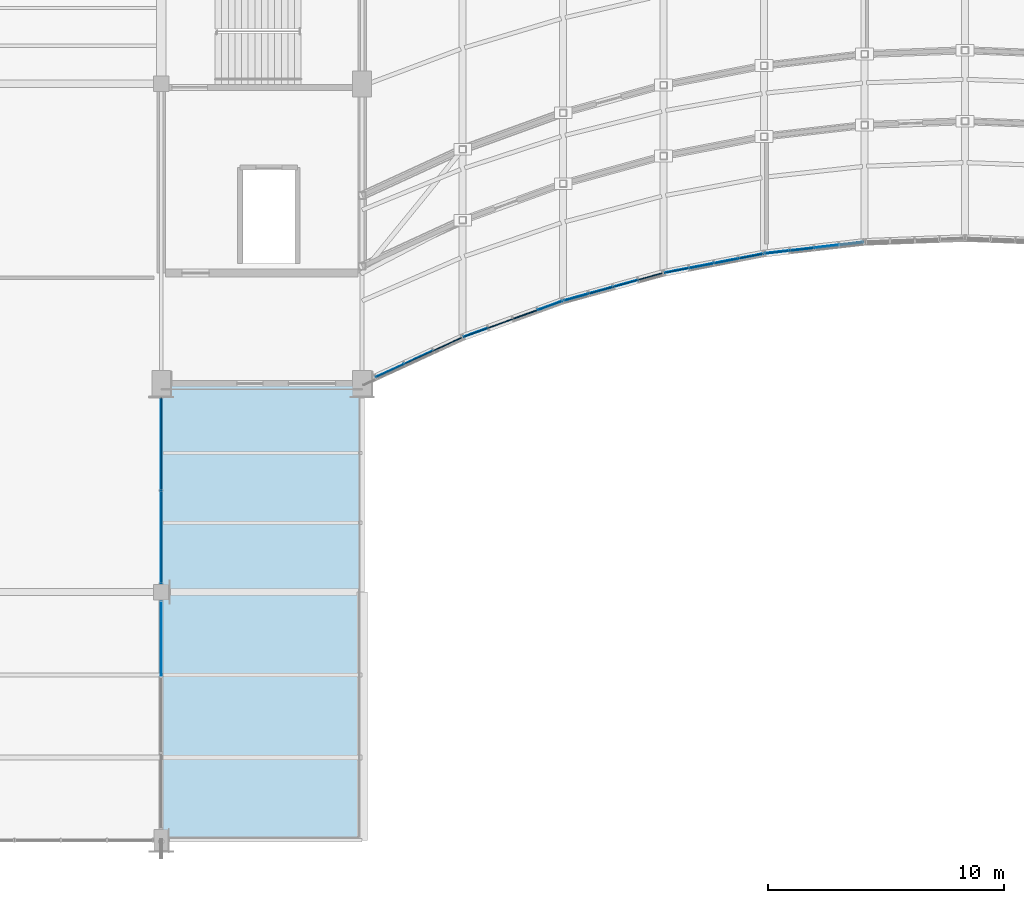
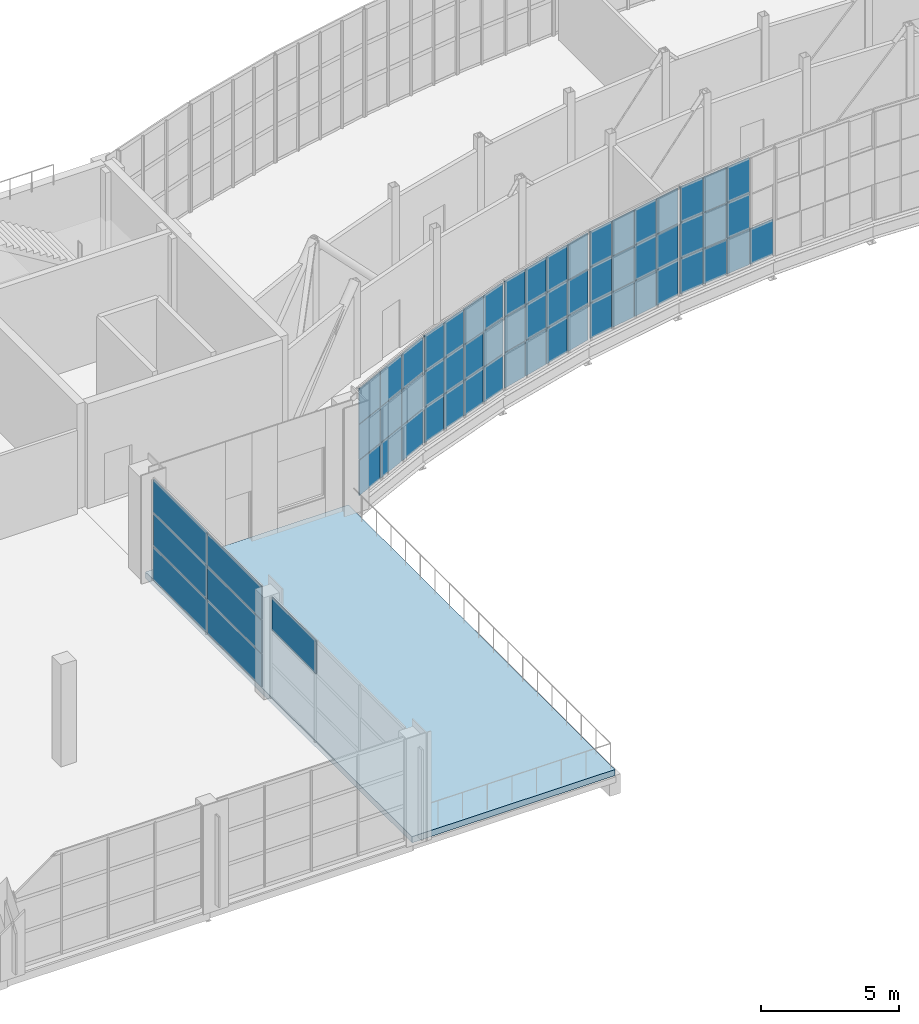
# One storey, part 57 of 86: 62 plates, 1 slab, 7 elements without a shape of their own.
"""IFC4 building model written with IfcOpenShell, lengths in metres."""

from ifc_helpers import new_model, si_unit, direction, frame, origin, origin_2d, place, context, subcontext, project, spatial, polyline, rectangle, outline, extrude, material, layer, layer_set, type_object, element, aggregate, save


model = new_model("IFC4")

# Units and contexts
model_context = context("Model", 3, precision=1e-05, world=origin(), true_north=direction((0.0, 1.0)))
body_context = subcontext(model_context, "Body", "Model", "MODEL_VIEW")
ifc_project = project(units=[si_unit("LENGTHUNIT", "METRE"), si_unit("AREAUNIT", "SQUARE_METRE"), si_unit("VOLUMEUNIT", "CUBIC_METRE"), si_unit("PLANEANGLEUNIT", "RADIAN"), si_unit("MASSUNIT", "GRAM", prefix="KILO")], contexts=[model_context])

# Site, building, storey
site_placement = place(None, origin())
site = spatial("IfcSite", under=ifc_project, at=site_placement, CompositionType="ELEMENT")
building_placement = place(site_placement, origin())
building = spatial("IfcBuilding", under=site, at=building_placement, Name="Solvikara Media Centre", CompositionType="ELEMENT")
storey_placement = place(building_placement, frame((0.0, 0.0, 15.0)))
storey = spatial("IfcBuildingStorey", under=building, at=storey_placement, Name="L03", CompositionType="ELEMENT", Elevation=15.0)

# Curtain wall, plates
ifc_material_1 = material(Name="Anodised aluminium EN AW-6063", Category="aluminium")
curtain_wall_type_1 = type_object("IfcCurtainWallType", Name="CW-01", PredefinedType="NOTDEFINED", material=ifc_material_1)
curtain_wall_1_placement = place(storey_placement, origin())
curtain_wall_1 = element("IfcCurtainWall", 1, at=curtain_wall_1_placement, inside=storey, type_object=curtain_wall_type_1, Name="CW-L03-SARC-00", PredefinedType="NOTDEFINED")
ifc_material_2 = material(Name="Laminated solar-control cyan vision glass", Category="glass")
ifc_layer_1 = layer(ifc_material_2, 0.035888671875)
ifc_layer_set_1 = layer_set([ifc_layer_1], Name="Laminated solar-control cyan vision glass")
plate_type_1 = type_object("IfcPlateType", Name="PN-01", PredefinedType="CURTAIN_PANEL", material=ifc_layer_set_1)
plate_1_placement = place(storey_placement, frame((77.681884765625, 19.867919921875, 1.62158203125), z_axis=(0.0, 0.0, 1.0), x_axis=(0.908566513921, 0.417740218056, 0.0)))
plate_1 = element("IfcPlate", 2, at=plate_1_placement, type_object=plate_type_1, Name="CW-L03-SARC-00-P0001", PredefinedType="CURTAIN_PANEL", context=body_context, shape_type="SweptSolid", body=[
    extrude(rectangle(XDim=1.306884765625, YDim=0.035888671875, at=origin_2d()), origin(), (0.0, 0.0, 1.0), 1.556884765625),
])
plate_2_placement = place(storey_placement, frame((77.681884765625, 19.867919921875, 3.20849609375), z_axis=(0.0, 0.0, 1.0), x_axis=(0.908566513921, 0.417740218056, 0.0)))
plate_2 = element("IfcPlate", 3, at=plate_2_placement, type_object=plate_type_1, Name="CW-L03-SARC-00-P0002", PredefinedType="CURTAIN_PANEL", context=body_context, shape_type="SweptSolid", body=[
    extrude(rectangle(XDim=1.306884765625, YDim=0.035888671875, at=origin_2d()), origin(), (0.0, 0.0, 1.0), 1.556884765625),
])
plate_3_placement = place(storey_placement, frame((78.89697265625, 20.427001953125, 0.03466796875), z_axis=(0.0, 0.0, 1.0), x_axis=(0.908566513921, 0.417740218056, 0.0)))
plate_3 = element("IfcPlate", 4, at=plate_3_placement, type_object=plate_type_1, Name="CW-L03-SARC-00-P0100", PredefinedType="CURTAIN_PANEL", context=body_context, shape_type="SweptSolid", body=[
    extrude(rectangle(XDim=1.306884765625, YDim=0.035888671875, at=origin_2d()), origin(), (0.0, 0.0, 1.0), 1.556884765625),
])

curtain_wall_2_placement = place(storey_placement, origin())
curtain_wall_2 = element("IfcCurtainWall", 5, at=curtain_wall_2_placement, inside=storey, type_object=curtain_wall_type_1, Name="CW-L03-SARC-01", PredefinedType="NOTDEFINED")
plate_4_placement = place(storey_placement, frame((81.305908203125, 21.48095703125, 0.03466796875), z_axis=(0.0, 0.0, 1.0), x_axis=(0.939823877818, 0.341659302058, 0.0)))
plate_4 = element("IfcPlate", 6, at=plate_4_placement, type_object=plate_type_1, Name="CW-L03-SARC-01-P0000", PredefinedType="CURTAIN_PANEL", context=body_context, shape_type="SweptSolid", body=[
    extrude(rectangle(XDim=1.0830078125, YDim=0.035888671875, at=origin_2d()), origin(), (0.0, 0.0, 1.0), 1.556884765625),
])
plate_5_placement = place(storey_placement, frame((84.444091796875, 22.6220703125, 0.03466796875), z_axis=(0.0, 0.0, 1.0), x_axis=(0.939823877818, 0.341659302058, 0.0)))
plate_5 = element("IfcPlate", 7, at=plate_5_placement, type_object=plate_type_1, Name="CW-L03-SARC-01-P0300", PredefinedType="CURTAIN_PANEL", context=body_context, shape_type="SweptSolid", body=[
    extrude(rectangle(XDim=1.0830078125, YDim=0.035888671875, at=origin_2d()), origin(), (0.0, 0.0, 1.0), 1.556884765625),
])
plate_6_placement = place(storey_placement, frame((84.444091796875, 22.6220703125, 3.20849609375), z_axis=(0.0, 0.0, 1.0), x_axis=(0.939823877818, 0.341659302058, 0.0)))
plate_6 = element("IfcPlate", 8, at=plate_6_placement, type_object=plate_type_1, Name="CW-L03-SARC-01-P0302", PredefinedType="CURTAIN_PANEL", context=body_context, shape_type="SweptSolid", body=[
    extrude(rectangle(XDim=1.0830078125, YDim=0.035888671875, at=origin_2d()), origin(), (0.0, 0.0, 1.0), 1.556884765625),
])

curtain_wall_3_placement = place(storey_placement, origin())
curtain_wall_3 = element("IfcCurtainWall", 9, at=curtain_wall_3_placement, inside=storey, type_object=curtain_wall_type_1, Name="CW-L03-SARC-02", PredefinedType="NOTDEFINED")
plate_7_placement = place(storey_placement, frame((85.555908203125, 22.97705078125, 0.03466796875), z_axis=(0.0, 0.0, 1.0), x_axis=(0.96397015682, 0.26601040724, 0.0)))
plate_7 = element("IfcPlate", 10, at=plate_7_placement, type_object=plate_type_1, Name="CW-L03-SARC-02-P0000", PredefinedType="CURTAIN_PANEL", context=body_context, shape_type="SweptSolid", body=[
    extrude(rectangle(XDim=1.054931640625, YDim=0.035888671875, at=origin_2d()), origin(), (0.0, 0.0, 1.0), 1.556884765625),
])
plate_8_placement = place(storey_placement, frame((85.555908203125, 22.97705078125, 1.62158203125), z_axis=(0.0, 0.0, 1.0), x_axis=(0.96397015682, 0.26601040724, 0.0)))
plate_8 = element("IfcPlate", 11, at=plate_8_placement, type_object=plate_type_1, Name="CW-L03-SARC-02-P0001", PredefinedType="CURTAIN_PANEL", context=body_context, shape_type="SweptSolid", body=[
    extrude(rectangle(XDim=1.054931640625, YDim=0.035888671875, at=origin_2d()), origin(), (0.0, 0.0, 1.0), 1.556884765625),
])
plate_9_placement = place(storey_placement, frame((86.60205078125, 23.26611328125, 1.62158203125), z_axis=(0.0, 0.0, 1.0), x_axis=(0.96397015682, 0.26601040724, 0.0)))
plate_9 = element("IfcPlate", 12, at=plate_9_placement, type_object=plate_type_1, Name="CW-L03-SARC-02-P0101", PredefinedType="CURTAIN_PANEL", context=body_context, shape_type="SweptSolid", body=[
    extrude(rectangle(XDim=1.054931640625, YDim=0.035888671875, at=origin_2d()), origin(), (0.0, 0.0, 1.0), 1.556884765625),
])
plate_10_placement = place(storey_placement, frame((87.64697265625, 23.553955078125, 1.62158203125), z_axis=(0.0, 0.0, 1.0), x_axis=(0.96397015682, 0.26601040724, 0.0)))
plate_10 = element("IfcPlate", 13, at=plate_10_placement, type_object=plate_type_1, Name="CW-L03-SARC-02-P0201", PredefinedType="CURTAIN_PANEL", context=body_context, shape_type="SweptSolid", body=[
    extrude(rectangle(XDim=1.054931640625, YDim=0.035888671875, at=origin_2d()), origin(), (0.0, 0.0, 1.0), 1.556884765625),
])

curtain_wall_4_placement = place(storey_placement, origin())
curtain_wall_4 = element("IfcCurtainWall", 14, at=curtain_wall_4_placement, inside=storey, type_object=curtain_wall_type_1, Name="CW-L03-SARC-03", PredefinedType="NOTDEFINED")
plate_11_placement = place(storey_placement, frame((89.805908203125, 24.10400390625, 3.20849609375), z_axis=(0.0, 0.0, 1.0), x_axis=(0.981843017659, 0.189695252114, 0.0)))
plate_11 = element("IfcPlate", 15, at=plate_11_placement, type_object=plate_type_1, Name="CW-L03-SARC-03-P0002", PredefinedType="CURTAIN_PANEL", context=body_context, shape_type="SweptSolid", body=[
    extrude(rectangle(XDim=1.034912109375, YDim=0.035888671875, at=origin_2d()), origin(), (0.0, 0.0, 1.0), 1.556884765625),
])
plate_12_placement = place(storey_placement, frame((90.85205078125, 24.305908203125, 0.03466796875), z_axis=(0.0, 0.0, 1.0), x_axis=(0.981843017659, 0.189695252114, 0.0)))
plate_12 = element("IfcPlate", 16, at=plate_12_placement, type_object=plate_type_1, Name="CW-L03-SARC-03-P0100", PredefinedType="CURTAIN_PANEL", context=body_context, shape_type="SweptSolid", body=[
    extrude(rectangle(XDim=1.034912109375, YDim=0.035888671875, at=origin_2d()), origin(), (0.0, 0.0, 1.0), 1.556884765625),
])
plate_13_placement = place(storey_placement, frame((90.85205078125, 24.305908203125, 1.62158203125), z_axis=(0.0, 0.0, 1.0), x_axis=(0.981843017659, 0.189695252114, 0.0)))
plate_13 = element("IfcPlate", 17, at=plate_13_placement, type_object=plate_type_1, Name="CW-L03-SARC-03-P0101", PredefinedType="CURTAIN_PANEL", context=body_context, shape_type="SweptSolid", body=[
    extrude(rectangle(XDim=1.034912109375, YDim=0.035888671875, at=origin_2d()), origin(), (0.0, 0.0, 1.0), 1.556884765625),
])
plate_14_placement = place(storey_placement, frame((91.89794921875, 24.508056640625, 0.03466796875), z_axis=(0.0, 0.0, 1.0), x_axis=(0.981843017659, 0.189695252114, 0.0)))
plate_14 = element("IfcPlate", 18, at=plate_14_placement, type_object=plate_type_1, Name="CW-L03-SARC-03-P0200", PredefinedType="CURTAIN_PANEL", context=body_context, shape_type="SweptSolid", body=[
    extrude(rectangle(XDim=1.034912109375, YDim=0.035888671875, at=origin_2d()), origin(), (0.0, 0.0, 1.0), 1.556884765625),
])
plate_15_placement = place(storey_placement, frame((91.89794921875, 24.508056640625, 3.20849609375), z_axis=(0.0, 0.0, 1.0), x_axis=(0.981843017659, 0.189695252114, 0.0)))
plate_15 = element("IfcPlate", 19, at=plate_15_placement, type_object=plate_type_1, Name="CW-L03-SARC-03-P0202", PredefinedType="CURTAIN_PANEL", context=body_context, shape_type="SweptSolid", body=[
    extrude(rectangle(XDim=1.034912109375, YDim=0.035888671875, at=origin_2d()), origin(), (0.0, 0.0, 1.0), 1.556884765625),
])
plate_16_placement = place(storey_placement, frame((92.943115234375, 24.7099609375, 0.03466796875), z_axis=(0.0, 0.0, 1.0), x_axis=(0.981843017659, 0.189695252114, 0.0)))
plate_16 = element("IfcPlate", 20, at=plate_16_placement, type_object=plate_type_1, Name="CW-L03-SARC-03-P0300", PredefinedType="CURTAIN_PANEL", context=body_context, shape_type="SweptSolid", body=[
    extrude(rectangle(XDim=1.034912109375, YDim=0.035888671875, at=origin_2d()), origin(), (0.0, 0.0, 1.0), 1.556884765625),
])

curtain_wall_5_placement = place(storey_placement, origin())
curtain_wall_5 = element("IfcCurtainWall", 21, at=curtain_wall_5_placement, inside=storey, type_object=curtain_wall_type_1, Name="CW-L03-SARC-04", PredefinedType="NOTDEFINED")
plate_17_placement = place(storey_placement, frame((94.05810546875, 24.882080078125, 1.62158203125), z_axis=(0.0, 0.0, 1.0), x_axis=(0.993498545066, 0.113844810828, 0.0)))
plate_17 = element("IfcPlate", 22, at=plate_17_placement, type_object=plate_type_1, Name="CW-L03-SARC-04-P0001", PredefinedType="CURTAIN_PANEL", context=body_context, shape_type="SweptSolid", body=[
    extrude(rectangle(XDim=1.02197265625, YDim=0.035888671875, at=origin_2d()), origin(), (0.0, 0.0, 1.0), 1.556884765625),
])
plate_18_placement = place(storey_placement, frame((95.10302734375, 25.001953125, 1.62158203125), z_axis=(0.0, 0.0, 1.0), x_axis=(0.993498545066, 0.113844810828, 0.0)))
plate_18 = element("IfcPlate", 23, at=plate_18_placement, type_object=plate_type_1, Name="CW-L03-SARC-04-P0101", PredefinedType="CURTAIN_PANEL", context=body_context, shape_type="SweptSolid", body=[
    extrude(rectangle(XDim=1.02197265625, YDim=0.035888671875, at=origin_2d()), origin(), (0.0, 0.0, 1.0), 1.556884765625),
])
plate_19_placement = place(storey_placement, frame((95.10302734375, 25.001953125, 3.20849609375), z_axis=(0.0, 0.0, 1.0), x_axis=(0.993498545066, 0.113844810828, 0.0)))
plate_19 = element("IfcPlate", 24, at=plate_19_placement, type_object=plate_type_1, Name="CW-L03-SARC-04-P0102", PredefinedType="CURTAIN_PANEL", context=body_context, shape_type="SweptSolid", body=[
    extrude(rectangle(XDim=1.02197265625, YDim=0.035888671875, at=origin_2d()), origin(), (0.0, 0.0, 1.0), 1.556884765625),
])

# Plate
ifc_material_3 = material(Name="Ceramic-fritted teal low-E glass", Category="glass")
ifc_layer_2 = layer(ifc_material_3, 0.0419921875)
ifc_layer_set_2 = layer_set([ifc_layer_2], Name="Ceramic-fritted teal low-E glass")
plate_type_2 = type_object("IfcPlateType", Name="PN-02", PredefinedType="CURTAIN_PANEL", material=ifc_layer_set_2)
plate_20_placement = place(storey_placement, frame((77.681884765625, 19.867919921875, 0.03466796875), z_axis=(0.0, 0.0, 1.0), x_axis=(0.908566513921, 0.417740218056, 0.0)))
plate_20 = element("IfcPlate", 25, at=plate_20_placement, type_object=plate_type_2, Name="CW-L03-SARC-00-P0000", PredefinedType="CURTAIN_PANEL", context=body_context, shape_type="SweptSolid", body=[
    extrude(rectangle(XDim=1.306884765625, YDim=0.0419921875, at=origin_2d()), origin(), (0.0, 0.0, 1.0), 1.556884765625),
])

plate_21_placement = place(storey_placement, frame((78.89697265625, 20.427001953125, 1.62158203125), z_axis=(0.0, 0.0, 1.0), x_axis=(0.908566513921, 0.417740218056, 0.0)))
plate_21 = element("IfcPlate", 26, at=plate_21_placement, type_object=plate_type_2, Name="CW-L03-SARC-00-P0101", PredefinedType="CURTAIN_PANEL", context=body_context, shape_type="SweptSolid", body=[
    extrude(rectangle(XDim=1.306884765625, YDim=0.0419921875, at=origin_2d()), origin(), (0.0, 0.0, 1.0), 1.556884765625),
])

plate_22_placement = place(storey_placement, frame((78.89697265625, 20.427001953125, 3.20849609375), z_axis=(0.0, 0.0, 1.0), x_axis=(0.908566513921, 0.417740218056, 0.0)))
plate_22 = element("IfcPlate", 27, at=plate_22_placement, type_object=plate_type_2, Name="CW-L03-SARC-00-P0102", PredefinedType="CURTAIN_PANEL", context=body_context, shape_type="SweptSolid", body=[
    extrude(rectangle(XDim=1.306884765625, YDim=0.0419921875, at=origin_2d()), origin(), (0.0, 0.0, 1.0), 1.556884765625),
])

plate_23_placement = place(storey_placement, frame((80.111083984375, 20.985107421875, 0.03466796875), z_axis=(0.0, 0.0, 1.0), x_axis=(0.908566513921, 0.417740218056, 0.0)))
plate_23 = element("IfcPlate", 28, at=plate_23_placement, type_object=plate_type_2, Name="CW-L03-SARC-00-P0200", PredefinedType="CURTAIN_PANEL", context=body_context, shape_type="SweptSolid", body=[
    extrude(rectangle(XDim=1.306884765625, YDim=0.0419921875, at=origin_2d()), origin(), (0.0, 0.0, 1.0), 1.556884765625),
])

plate_24_placement = place(storey_placement, frame((80.111083984375, 20.985107421875, 1.62158203125), z_axis=(0.0, 0.0, 1.0), x_axis=(0.908566513921, 0.417740218056, 0.0)))
plate_24 = element("IfcPlate", 29, at=plate_24_placement, type_object=plate_type_2, Name="CW-L03-SARC-00-P0201", PredefinedType="CURTAIN_PANEL", context=body_context, shape_type="SweptSolid", body=[
    extrude(rectangle(XDim=1.306884765625, YDim=0.0419921875, at=origin_2d()), origin(), (0.0, 0.0, 1.0), 1.556884765625),
])

plate_25_placement = place(storey_placement, frame((80.111083984375, 20.985107421875, 3.20849609375), z_axis=(0.0, 0.0, 1.0), x_axis=(0.908566513921, 0.417740218056, 0.0)))
plate_25 = element("IfcPlate", 30, at=plate_25_placement, type_object=plate_type_2, Name="CW-L03-SARC-00-P0202", PredefinedType="CURTAIN_PANEL", context=body_context, shape_type="SweptSolid", body=[
    extrude(rectangle(XDim=1.306884765625, YDim=0.0419921875, at=origin_2d()), origin(), (0.0, 0.0, 1.0), 1.556884765625),
])

aggregate(curtain_wall_1, [plate_20, plate_1, plate_2, plate_3, plate_21, plate_22, plate_23, plate_24, plate_25])

plate_26_placement = place(storey_placement, frame((82.35205078125, 21.861083984375, 0.03466796875), z_axis=(0.0, 0.0, 1.0), x_axis=(0.939823877818, 0.341659302058, 0.0)))
plate_26 = element("IfcPlate", 31, at=plate_26_placement, type_object=plate_type_2, Name="CW-L03-SARC-01-P0100", PredefinedType="CURTAIN_PANEL", context=body_context, shape_type="SweptSolid", body=[
    extrude(rectangle(XDim=1.0830078125, YDim=0.0419921875, at=origin_2d()), origin(), (0.0, 0.0, 1.0), 1.556884765625),
])

plate_27_placement = place(storey_placement, frame((82.35205078125, 21.861083984375, 1.62158203125), z_axis=(0.0, 0.0, 1.0), x_axis=(0.939823877818, 0.341659302058, 0.0)))
plate_27 = element("IfcPlate", 32, at=plate_27_placement, type_object=plate_type_2, Name="CW-L03-SARC-01-P0101", PredefinedType="CURTAIN_PANEL", context=body_context, shape_type="SweptSolid", body=[
    extrude(rectangle(XDim=1.0830078125, YDim=0.0419921875, at=origin_2d()), origin(), (0.0, 0.0, 1.0), 1.556884765625),
])

plate_28_placement = place(storey_placement, frame((82.35205078125, 21.861083984375, 3.20849609375), z_axis=(0.0, 0.0, 1.0), x_axis=(0.939823877818, 0.341659302058, 0.0)))
plate_28 = element("IfcPlate", 33, at=plate_28_placement, type_object=plate_type_2, Name="CW-L03-SARC-01-P0102", PredefinedType="CURTAIN_PANEL", context=body_context, shape_type="SweptSolid", body=[
    extrude(rectangle(XDim=1.0830078125, YDim=0.0419921875, at=origin_2d()), origin(), (0.0, 0.0, 1.0), 1.556884765625),
])

plate_29_placement = place(storey_placement, frame((83.39794921875, 22.240966796875, 0.03466796875), z_axis=(0.0, 0.0, 1.0), x_axis=(0.939823877818, 0.341659302058, 0.0)))
plate_29 = element("IfcPlate", 34, at=plate_29_placement, type_object=plate_type_2, Name="CW-L03-SARC-01-P0200", PredefinedType="CURTAIN_PANEL", context=body_context, shape_type="SweptSolid", body=[
    extrude(rectangle(XDim=1.0830078125, YDim=0.0419921875, at=origin_2d()), origin(), (0.0, 0.0, 1.0), 1.556884765625),
])

plate_30_placement = place(storey_placement, frame((83.39794921875, 22.240966796875, 1.62158203125), z_axis=(0.0, 0.0, 1.0), x_axis=(0.939823877818, 0.341659302058, 0.0)))
plate_30 = element("IfcPlate", 35, at=plate_30_placement, type_object=plate_type_2, Name="CW-L03-SARC-01-P0201", PredefinedType="CURTAIN_PANEL", context=body_context, shape_type="SweptSolid", body=[
    extrude(rectangle(XDim=1.0830078125, YDim=0.0419921875, at=origin_2d()), origin(), (0.0, 0.0, 1.0), 1.556884765625),
])

plate_31_placement = place(storey_placement, frame((84.444091796875, 22.6220703125, 1.62158203125), z_axis=(0.0, 0.0, 1.0), x_axis=(0.939823877818, 0.341659302058, 0.0)))
plate_31 = element("IfcPlate", 36, at=plate_31_placement, type_object=plate_type_2, Name="CW-L03-SARC-01-P0301", PredefinedType="CURTAIN_PANEL", context=body_context, shape_type="SweptSolid", body=[
    extrude(rectangle(XDim=1.0830078125, YDim=0.0419921875, at=origin_2d()), origin(), (0.0, 0.0, 1.0), 1.556884765625),
])

plate_32_placement = place(storey_placement, frame((85.555908203125, 22.97705078125, 3.20849609375), z_axis=(0.0, 0.0, 1.0), x_axis=(0.96397015682, 0.26601040724, 0.0)))
plate_32 = element("IfcPlate", 37, at=plate_32_placement, type_object=plate_type_2, Name="CW-L03-SARC-02-P0002", PredefinedType="CURTAIN_PANEL", context=body_context, shape_type="SweptSolid", body=[
    extrude(rectangle(XDim=1.054931640625, YDim=0.0419921875, at=origin_2d()), origin(), (0.0, 0.0, 1.0), 1.556884765625),
])

plate_33_placement = place(storey_placement, frame((86.60205078125, 23.26611328125, 0.03466796875), z_axis=(0.0, 0.0, 1.0), x_axis=(0.96397015682, 0.26601040724, 0.0)))
plate_33 = element("IfcPlate", 38, at=plate_33_placement, type_object=plate_type_2, Name="CW-L03-SARC-02-P0100", PredefinedType="CURTAIN_PANEL", context=body_context, shape_type="SweptSolid", body=[
    extrude(rectangle(XDim=1.054931640625, YDim=0.0419921875, at=origin_2d()), origin(), (0.0, 0.0, 1.0), 1.556884765625),
])

plate_34_placement = place(storey_placement, frame((86.60205078125, 23.26611328125, 3.20849609375), z_axis=(0.0, 0.0, 1.0), x_axis=(0.96397015682, 0.26601040724, 0.0)))
plate_34 = element("IfcPlate", 39, at=plate_34_placement, type_object=plate_type_2, Name="CW-L03-SARC-02-P0102", PredefinedType="CURTAIN_PANEL", context=body_context, shape_type="SweptSolid", body=[
    extrude(rectangle(XDim=1.054931640625, YDim=0.0419921875, at=origin_2d()), origin(), (0.0, 0.0, 1.0), 1.556884765625),
])

plate_35_placement = place(storey_placement, frame((87.64697265625, 23.553955078125, 0.03466796875), z_axis=(0.0, 0.0, 1.0), x_axis=(0.96397015682, 0.26601040724, 0.0)))
plate_35 = element("IfcPlate", 40, at=plate_35_placement, type_object=plate_type_2, Name="CW-L03-SARC-02-P0200", PredefinedType="CURTAIN_PANEL", context=body_context, shape_type="SweptSolid", body=[
    extrude(rectangle(XDim=1.054931640625, YDim=0.0419921875, at=origin_2d()), origin(), (0.0, 0.0, 1.0), 1.556884765625),
])

plate_36_placement = place(storey_placement, frame((87.64697265625, 23.553955078125, 3.20849609375), z_axis=(0.0, 0.0, 1.0), x_axis=(0.96397015682, 0.26601040724, 0.0)))
plate_36 = element("IfcPlate", 41, at=plate_36_placement, type_object=plate_type_2, Name="CW-L03-SARC-02-P0202", PredefinedType="CURTAIN_PANEL", context=body_context, shape_type="SweptSolid", body=[
    extrude(rectangle(XDim=1.054931640625, YDim=0.0419921875, at=origin_2d()), origin(), (0.0, 0.0, 1.0), 1.556884765625),
])

plate_37_placement = place(storey_placement, frame((88.693115234375, 23.843017578125, 0.03466796875), z_axis=(0.0, 0.0, 1.0), x_axis=(0.96397015682, 0.26601040724, 0.0)))
plate_37 = element("IfcPlate", 42, at=plate_37_placement, type_object=plate_type_2, Name="CW-L03-SARC-02-P0300", PredefinedType="CURTAIN_PANEL", context=body_context, shape_type="SweptSolid", body=[
    extrude(rectangle(XDim=1.054931640625, YDim=0.0419921875, at=origin_2d()), origin(), (0.0, 0.0, 1.0), 1.556884765625),
])

plate_38_placement = place(storey_placement, frame((88.693115234375, 23.843017578125, 1.62158203125), z_axis=(0.0, 0.0, 1.0), x_axis=(0.96397015682, 0.26601040724, 0.0)))
plate_38 = element("IfcPlate", 43, at=plate_38_placement, type_object=plate_type_2, Name="CW-L03-SARC-02-P0301", PredefinedType="CURTAIN_PANEL", context=body_context, shape_type="SweptSolid", body=[
    extrude(rectangle(XDim=1.054931640625, YDim=0.0419921875, at=origin_2d()), origin(), (0.0, 0.0, 1.0), 1.556884765625),
])

plate_39_placement = place(storey_placement, frame((89.805908203125, 24.10400390625, 0.03466796875), z_axis=(0.0, 0.0, 1.0), x_axis=(0.981843017659, 0.189695252114, 0.0)))
plate_39 = element("IfcPlate", 44, at=plate_39_placement, type_object=plate_type_2, Name="CW-L03-SARC-03-P0000", PredefinedType="CURTAIN_PANEL", context=body_context, shape_type="SweptSolid", body=[
    extrude(rectangle(XDim=1.034912109375, YDim=0.0419921875, at=origin_2d()), origin(), (0.0, 0.0, 1.0), 1.556884765625),
])

plate_40_placement = place(storey_placement, frame((89.805908203125, 24.10400390625, 1.62158203125), z_axis=(0.0, 0.0, 1.0), x_axis=(0.981843017659, 0.189695252114, 0.0)))
plate_40 = element("IfcPlate", 45, at=plate_40_placement, type_object=plate_type_2, Name="CW-L03-SARC-03-P0001", PredefinedType="CURTAIN_PANEL", context=body_context, shape_type="SweptSolid", body=[
    extrude(rectangle(XDim=1.034912109375, YDim=0.0419921875, at=origin_2d()), origin(), (0.0, 0.0, 1.0), 1.556884765625),
])

plate_41_placement = place(storey_placement, frame((90.85205078125, 24.305908203125, 3.20849609375), z_axis=(0.0, 0.0, 1.0), x_axis=(0.981843017659, 0.189695252114, 0.0)))
plate_41 = element("IfcPlate", 46, at=plate_41_placement, type_object=plate_type_2, Name="CW-L03-SARC-03-P0102", PredefinedType="CURTAIN_PANEL", context=body_context, shape_type="SweptSolid", body=[
    extrude(rectangle(XDim=1.034912109375, YDim=0.0419921875, at=origin_2d()), origin(), (0.0, 0.0, 1.0), 1.556884765625),
])

plate_42_placement = place(storey_placement, frame((91.89794921875, 24.508056640625, 1.62158203125), z_axis=(0.0, 0.0, 1.0), x_axis=(0.981843017659, 0.189695252114, 0.0)))
plate_42 = element("IfcPlate", 47, at=plate_42_placement, type_object=plate_type_2, Name="CW-L03-SARC-03-P0201", PredefinedType="CURTAIN_PANEL", context=body_context, shape_type="SweptSolid", body=[
    extrude(rectangle(XDim=1.034912109375, YDim=0.0419921875, at=origin_2d()), origin(), (0.0, 0.0, 1.0), 1.556884765625),
])

plate_43_placement = place(storey_placement, frame((92.943115234375, 24.7099609375, 1.62158203125), z_axis=(0.0, 0.0, 1.0), x_axis=(0.981843017659, 0.189695252114, 0.0)))
plate_43 = element("IfcPlate", 48, at=plate_43_placement, type_object=plate_type_2, Name="CW-L03-SARC-03-P0301", PredefinedType="CURTAIN_PANEL", context=body_context, shape_type="SweptSolid", body=[
    extrude(rectangle(XDim=1.034912109375, YDim=0.0419921875, at=origin_2d()), origin(), (0.0, 0.0, 1.0), 1.556884765625),
])

plate_44_placement = place(storey_placement, frame((92.943115234375, 24.7099609375, 3.20849609375), z_axis=(0.0, 0.0, 1.0), x_axis=(0.981843017659, 0.189695252114, 0.0)))
plate_44 = element("IfcPlate", 49, at=plate_44_placement, type_object=plate_type_2, Name="CW-L03-SARC-03-P0302", PredefinedType="CURTAIN_PANEL", context=body_context, shape_type="SweptSolid", body=[
    extrude(rectangle(XDim=1.034912109375, YDim=0.0419921875, at=origin_2d()), origin(), (0.0, 0.0, 1.0), 1.556884765625),
])

aggregate(curtain_wall_4, [plate_39, plate_40, plate_11, plate_12, plate_13, plate_41, plate_14, plate_42, plate_15, plate_16, plate_43, plate_44])

plate_45_placement = place(storey_placement, frame((94.05810546875, 24.882080078125, 3.20849609375), z_axis=(0.0, 0.0, 1.0), x_axis=(0.993498545066, 0.113844810828, 0.0)))
plate_45 = element("IfcPlate", 50, at=plate_45_placement, type_object=plate_type_2, Name="CW-L03-SARC-04-P0002", PredefinedType="CURTAIN_PANEL", context=body_context, shape_type="SweptSolid", body=[
    extrude(rectangle(XDim=1.02197265625, YDim=0.0419921875, at=origin_2d()), origin(), (0.0, 0.0, 1.0), 1.556884765625),
])

plate_46_placement = place(storey_placement, frame((96.14794921875, 25.12109375, 0.03466796875), z_axis=(0.0, 0.0, 1.0), x_axis=(0.993498545066, 0.113844810828, 0.0)))
plate_46 = element("IfcPlate", 51, at=plate_46_placement, type_object=plate_type_2, Name="CW-L03-SARC-04-P0200", PredefinedType="CURTAIN_PANEL", context=body_context, shape_type="SweptSolid", body=[
    extrude(rectangle(XDim=1.02197265625, YDim=0.0419921875, at=origin_2d()), origin(), (0.0, 0.0, 1.0), 1.556884765625),
])

plate_47_placement = place(storey_placement, frame((96.14794921875, 25.12109375, 1.62158203125), z_axis=(0.0, 0.0, 1.0), x_axis=(0.993498545066, 0.113844810828, 0.0)))
plate_47 = element("IfcPlate", 52, at=plate_47_placement, type_object=plate_type_2, Name="CW-L03-SARC-04-P0201", PredefinedType="CURTAIN_PANEL", context=body_context, shape_type="SweptSolid", body=[
    extrude(rectangle(XDim=1.02197265625, YDim=0.0419921875, at=origin_2d()), origin(), (0.0, 0.0, 1.0), 1.556884765625),
])

plate_48_placement = place(storey_placement, frame((96.14794921875, 25.12109375, 3.20849609375), z_axis=(0.0, 0.0, 1.0), x_axis=(0.993498545066, 0.113844810828, 0.0)))
plate_48 = element("IfcPlate", 53, at=plate_48_placement, type_object=plate_type_2, Name="CW-L03-SARC-04-P0202", PredefinedType="CURTAIN_PANEL", context=body_context, shape_type="SweptSolid", body=[
    extrude(rectangle(XDim=1.02197265625, YDim=0.0419921875, at=origin_2d()), origin(), (0.0, 0.0, 1.0), 1.556884765625),
])

plate_49_placement = place(storey_placement, frame((97.19189453125, 25.240966796875, 0.03466796875), z_axis=(0.0, 0.0, 1.0), x_axis=(0.993498545066, 0.113844810828, 0.0)))
plate_49 = element("IfcPlate", 54, at=plate_49_placement, type_object=plate_type_2, Name="CW-L03-SARC-04-P0300", PredefinedType="CURTAIN_PANEL", context=body_context, shape_type="SweptSolid", body=[
    extrude(rectangle(XDim=1.02197265625, YDim=0.0419921875, at=origin_2d()), origin(), (0.0, 0.0, 1.0), 1.556884765625),
])

ifc_material_4 = material(Name="Insulated silver-pearl glass spandrel panel", Category="glass")
ifc_layer_3 = layer(ifc_material_4, 0.054931640625)
ifc_layer_set_3 = layer_set([ifc_layer_3], Name="Insulated silver-pearl glass spandrel panel")
plate_type_3 = type_object("IfcPlateType", Name="PN-03", PredefinedType="CURTAIN_PANEL", material=ifc_layer_set_3)
plate_50_placement = place(storey_placement, frame((81.305908203125, 21.48095703125, 1.62158203125), z_axis=(0.0, 0.0, 1.0), x_axis=(0.939823877818, 0.341659302058, 0.0)))
plate_50 = element("IfcPlate", 55, at=plate_50_placement, type_object=plate_type_3, Name="CW-L03-SARC-01-P0001", PredefinedType="CURTAIN_PANEL", context=body_context, shape_type="SweptSolid", body=[
    extrude(rectangle(XDim=1.0830078125, YDim=0.054931640625, at=origin_2d()), origin(), (0.0, 0.0, 1.0), 1.556884765625),
])

plate_51_placement = place(storey_placement, frame((81.305908203125, 21.48095703125, 3.20849609375), z_axis=(0.0, 0.0, 1.0), x_axis=(0.939823877818, 0.341659302058, 0.0)))
plate_51 = element("IfcPlate", 56, at=plate_51_placement, type_object=plate_type_3, Name="CW-L03-SARC-01-P0002", PredefinedType="CURTAIN_PANEL", context=body_context, shape_type="SweptSolid", body=[
    extrude(rectangle(XDim=1.0830078125, YDim=0.054931640625, at=origin_2d()), origin(), (0.0, 0.0, 1.0), 1.556884765625),
])

plate_52_placement = place(storey_placement, frame((83.39794921875, 22.240966796875, 3.20849609375), z_axis=(0.0, 0.0, 1.0), x_axis=(0.939823877818, 0.341659302058, 0.0)))
plate_52 = element("IfcPlate", 57, at=plate_52_placement, type_object=plate_type_3, Name="CW-L03-SARC-01-P0202", PredefinedType="CURTAIN_PANEL", context=body_context, shape_type="SweptSolid", body=[
    extrude(rectangle(XDim=1.0830078125, YDim=0.054931640625, at=origin_2d()), origin(), (0.0, 0.0, 1.0), 1.556884765625),
])

aggregate(curtain_wall_2, [plate_4, plate_50, plate_51, plate_26, plate_27, plate_28, plate_29, plate_30, plate_52, plate_5, plate_31, plate_6])

plate_53_placement = place(storey_placement, frame((88.693115234375, 23.843017578125, 3.20849609375), z_axis=(0.0, 0.0, 1.0), x_axis=(0.96397015682, 0.26601040724, 0.0)))
plate_53 = element("IfcPlate", 58, at=plate_53_placement, type_object=plate_type_3, Name="CW-L03-SARC-02-P0302", PredefinedType="CURTAIN_PANEL", context=body_context, shape_type="SweptSolid", body=[
    extrude(rectangle(XDim=1.054931640625, YDim=0.054931640625, at=origin_2d()), origin(), (0.0, 0.0, 1.0), 1.556884765625),
])

aggregate(curtain_wall_3, [plate_7, plate_8, plate_32, plate_33, plate_9, plate_34, plate_35, plate_10, plate_36, plate_37, plate_38, plate_53])

plate_54_placement = place(storey_placement, frame((94.05810546875, 24.882080078125, 0.03466796875), z_axis=(0.0, 0.0, 1.0), x_axis=(0.993498545066, 0.113844810828, 0.0)))
plate_54 = element("IfcPlate", 59, at=plate_54_placement, type_object=plate_type_3, Name="CW-L03-SARC-04-P0000", PredefinedType="CURTAIN_PANEL", context=body_context, shape_type="SweptSolid", body=[
    extrude(rectangle(XDim=1.02197265625, YDim=0.054931640625, at=origin_2d()), origin(), (0.0, 0.0, 1.0), 1.556884765625),
])

plate_55_placement = place(storey_placement, frame((95.10302734375, 25.001953125, 0.03466796875), z_axis=(0.0, 0.0, 1.0), x_axis=(0.993498545066, 0.113844810828, 0.0)))
plate_55 = element("IfcPlate", 60, at=plate_55_placement, type_object=plate_type_3, Name="CW-L03-SARC-04-P0100", PredefinedType="CURTAIN_PANEL", context=body_context, shape_type="SweptSolid", body=[
    extrude(rectangle(XDim=1.02197265625, YDim=0.054931640625, at=origin_2d()), origin(), (0.0, 0.0, 1.0), 1.556884765625),
])

aggregate(curtain_wall_5, [plate_54, plate_17, plate_45, plate_55, plate_18, plate_19, plate_46, plate_47, plate_48, plate_49])

# Curtain wall, plate
curtain_wall_type_2 = type_object("IfcCurtainWallType", Name="CW-16", PredefinedType="NOTDEFINED", material=ifc_material_1)
curtain_wall_6_placement = place(storey_placement, origin())
curtain_wall_6 = element("IfcCurtainWall", 61, at=curtain_wall_6_placement, inside=storey, type_object=curtain_wall_type_2, Name="CW-L03-V6E-S1", PredefinedType="NOTDEFINED")
ifc_layer_4 = layer(ifc_material_3, 0.0380859375)
ifc_layer_set_4 = layer_set([ifc_layer_4], Name="Ceramic-fritted teal low-E glass")
plate_type_4 = type_object("IfcPlateType", Name="PN-08", PredefinedType="CURTAIN_PANEL", material=ifc_layer_set_4)
plate_56_placement = place(storey_placement, frame((68.0, 8.527099609375, 3.008544921875), z_axis=(0.0, 0.0, 1.0), x_axis=(0.0, 1.0, 0.0)))
plate_56 = element("IfcPlate", 62, at=plate_56_placement, type_object=plate_type_4, Name="CW-L03-V6E-S1-P0202", PredefinedType="CURTAIN_PANEL", context=body_context, shape_type="SweptSolid", body=[
    extrude(rectangle(XDim=3.18505859375, YDim=0.0380859375, at=origin_2d()), origin(), (0.0, 0.0, 1.0), 1.45703125),
])
aggregate(curtain_wall_6, [plate_56])

# Curtain wall, plates
curtain_wall_7_placement = place(storey_placement, origin())
curtain_wall_7 = element("IfcCurtainWall", 63, at=curtain_wall_7_placement, inside=storey, type_object=curtain_wall_type_2, Name="CW-L03-V6E-S2", PredefinedType="NOTDEFINED")
plate_57_placement = place(storey_placement, frame((68.0, 12.83203125, 0.034423828125), z_axis=(0.0, 0.0, 1.0), x_axis=(0.0, 1.0, 0.0)))
plate_57 = element("IfcPlate", 64, at=plate_57_placement, type_object=plate_type_4, Name="CW-L03-V6E-S2-P0000", PredefinedType="CURTAIN_PANEL", context=body_context, shape_type="SweptSolid", body=[
    extrude(rectangle(XDim=3.905029296875, YDim=0.0380859375, at=origin_2d()), origin(), (0.0, 0.0, 1.0), 1.45703125),
])
plate_58_placement = place(storey_placement, frame((68.0, 12.83203125, 3.008544921875), z_axis=(0.0, 0.0, 1.0), x_axis=(0.0, 1.0, 0.0)))
plate_58 = element("IfcPlate", 65, at=plate_58_placement, type_object=plate_type_4, Name="CW-L03-V6E-S2-P0002", PredefinedType="CURTAIN_PANEL", context=body_context, shape_type="SweptSolid", body=[
    extrude(rectangle(XDim=3.905029296875, YDim=0.0380859375, at=origin_2d()), origin(), (0.0, 0.0, 1.0), 1.45703125),
])
plate_59_placement = place(storey_placement, frame((68.0, 16.76708984375, 1.521484375), z_axis=(0.0, 0.0, 1.0), x_axis=(0.0, 1.0, 0.0)))
plate_59 = element("IfcPlate", 66, at=plate_59_placement, type_object=plate_type_4, Name="CW-L03-V6E-S2-P0101", PredefinedType="CURTAIN_PANEL", context=body_context, shape_type="SweptSolid", body=[
    extrude(rectangle(XDim=3.905029296875, YDim=0.0380859375, at=origin_2d()), origin(), (0.0, 0.0, 1.0), 1.45703125),
])
ifc_layer_5 = layer(ifc_material_4, 0.054931640625)
ifc_layer_set_5 = layer_set([ifc_layer_5], Name="Insulated silver-pearl glass spandrel panel")
plate_type_5 = type_object("IfcPlateType", Name="PN-09", PredefinedType="CURTAIN_PANEL", material=ifc_layer_set_5)
plate_60_placement = place(storey_placement, frame((68.0, 12.83203125, 1.521484375), z_axis=(0.0, 0.0, 1.0), x_axis=(0.0, 1.0, 0.0)))
plate_60 = element("IfcPlate", 67, at=plate_60_placement, type_object=plate_type_5, Name="CW-L03-V6E-S2-P0001", PredefinedType="CURTAIN_PANEL", context=body_context, shape_type="SweptSolid", body=[
    extrude(rectangle(XDim=3.905029296875, YDim=0.054931640625, at=origin_2d()), origin(), (0.0, 0.0, 1.0), 1.45703125),
])
plate_61_placement = place(storey_placement, frame((68.0, 16.76708984375, 0.034423828125), z_axis=(0.0, 0.0, 1.0), x_axis=(0.0, 1.0, 0.0)))
plate_61 = element("IfcPlate", 68, at=plate_61_placement, type_object=plate_type_5, Name="CW-L03-V6E-S2-P0100", PredefinedType="CURTAIN_PANEL", context=body_context, shape_type="SweptSolid", body=[
    extrude(rectangle(XDim=3.905029296875, YDim=0.054931640625, at=origin_2d()), origin(), (0.0, 0.0, 1.0), 1.45703125),
])
plate_62_placement = place(storey_placement, frame((68.0, 16.76708984375, 3.008544921875), z_axis=(0.0, 0.0, 1.0), x_axis=(0.0, 1.0, 0.0)))
plate_62 = element("IfcPlate", 69, at=plate_62_placement, type_object=plate_type_5, Name="CW-L03-V6E-S2-P0102", PredefinedType="CURTAIN_PANEL", context=body_context, shape_type="SweptSolid", body=[
    extrude(rectangle(XDim=3.905029296875, YDim=0.054931640625, at=origin_2d()), origin(), (0.0, 0.0, 1.0), 1.45703125),
])
aggregate(curtain_wall_7, [plate_57, plate_60, plate_58, plate_61, plate_59, plate_62])

# Slab
ifc_material_5 = material(Name="Concrete fc' 35 MPa (C35/45)", Category="concrete")
ifc_layer_6 = layer(ifc_material_5, 0.27001953125)
ifc_layer_set_6 = layer_set([ifc_layer_6], Name="Concrete fc' 35 MPa (C35/45)")
slab_type = type_object("IfcSlabType", Name="ST-11", PredefinedType="FLOOR", material=ifc_layer_set_6)
slab_placement = place(storey_placement, frame((0.0, 0.0, -0.27001953125)))
element("IfcSlab", 70, at=slab_placement, inside=storey, type_object=slab_type, Name="TER-L03-V6S", PredefinedType="FLOOR", context=body_context, shape_type="SweptSolid", body=[
    extrude(outline(polyline([(68.0, 0.0), (76.5, 0.0), (76.5, 19.323974609375), (68.0, 19.323974609375), (68.0, 0.0)])), origin(), (0.0, 0.0, 1.0), 0.27001953125),
])

save(model, "model.ifc")
